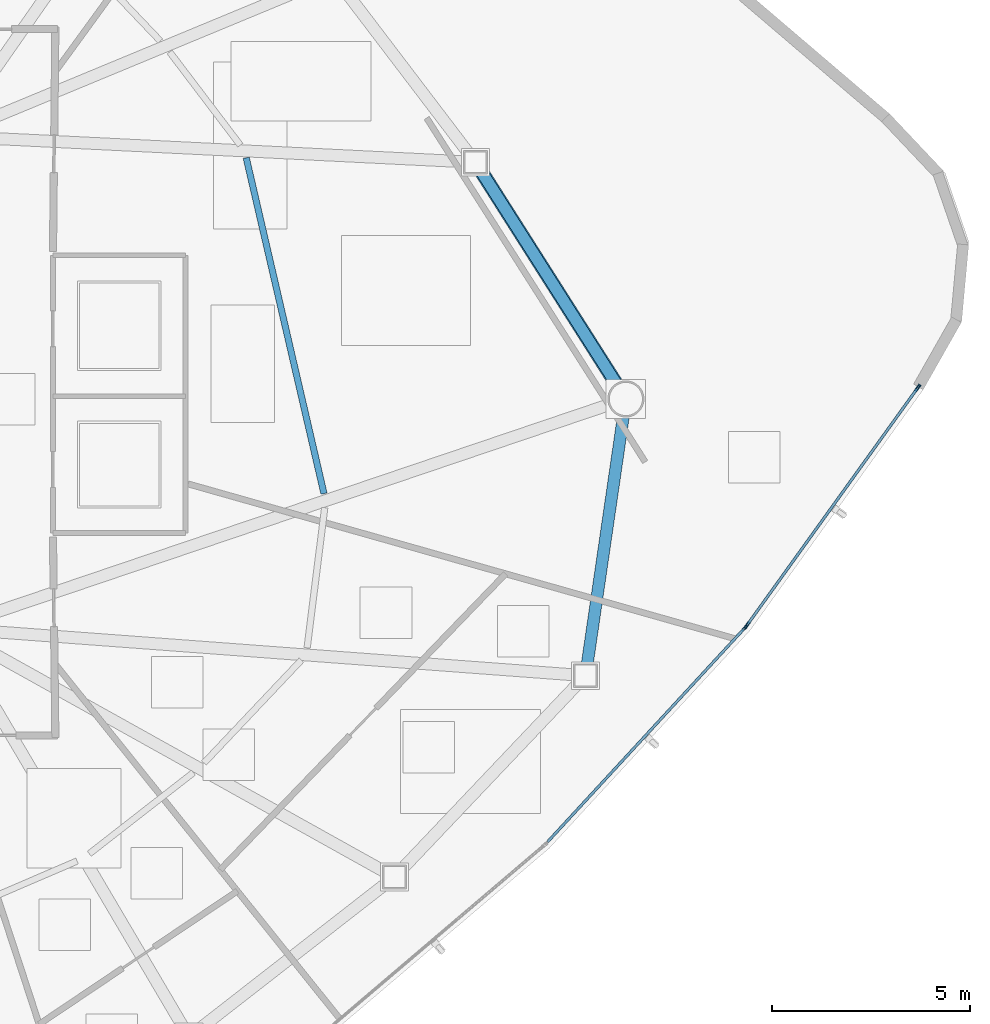
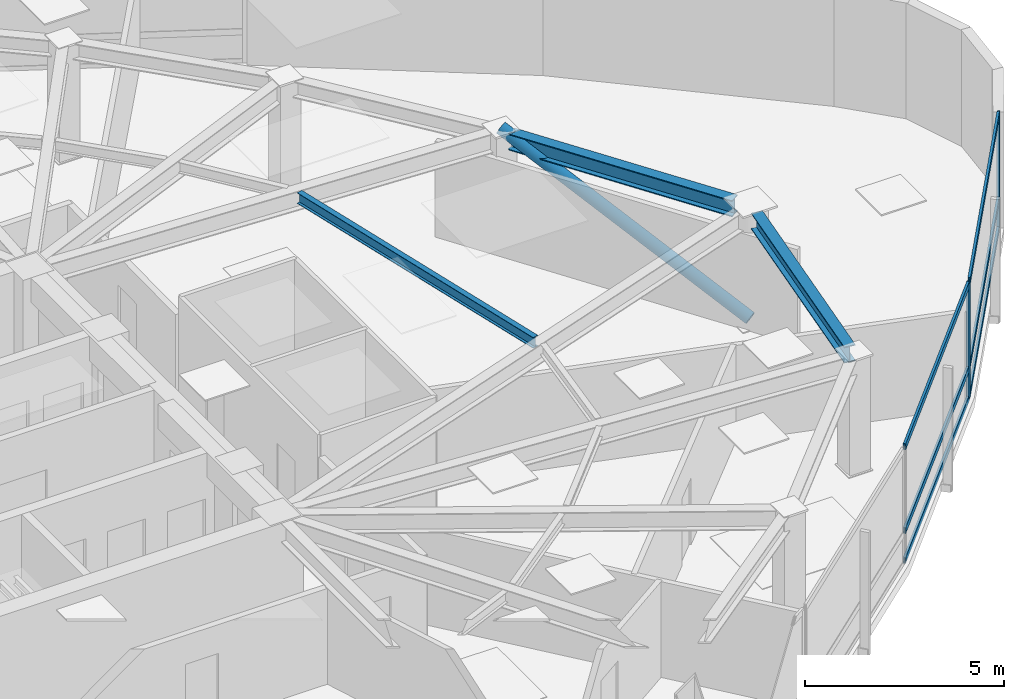
# One storey, part 6 of 17: 10 members, 3 beams, 2 elements without a shape of their own.
"""IFC4 building model written with IfcOpenShell, lengths in metres."""

from ifc_helpers import new_model, si_unit, direction, frame, origin, origin_2d, place, context, subcontext, project, spatial, hollow_rectangle, hollow_circle, i_section, extrude, source, transform, mapped, material, layer, layer_set, material_profile, profile_set, type_object, type_shapes, element, aggregate, save


model = new_model("IFC4")

# Units and contexts
model_context = context("Model", 3, precision=1e-05, world=origin(), true_north=direction((0.0, 1.0)))
body_context = subcontext(model_context, "Body", "Model", "MODEL_VIEW")
ifc_project = project(units=[si_unit("LENGTHUNIT", "METRE"), si_unit("AREAUNIT", "SQUARE_METRE"), si_unit("VOLUMEUNIT", "CUBIC_METRE"), si_unit("PLANEANGLEUNIT", "RADIAN"), si_unit("MASSUNIT", "GRAM", prefix="KILO")], contexts=[model_context])

# Site, building, storey
site_placement = place(None, origin())
site = spatial("IfcSite", under=ifc_project, at=site_placement, CompositionType="ELEMENT")
building_placement = place(site_placement, origin())
building = spatial("IfcBuilding", under=site, at=building_placement, Name="Tavelor Broadcast Tower", CompositionType="ELEMENT")
storey_placement = place(building_placement, frame((0.0, 0.0, 188.75)))
storey = spatial("IfcBuildingStorey", under=building, at=storey_placement, Name="L45", CompositionType="ELEMENT", Elevation=188.75)

# Beams
ifc_material_1 = material(Name="Steel S355", Category="steel")
ifc_material_profile_1 = material_profile(ifc_material_1, i_section(OverallWidth=0.159912109375, OverallDepth=0.330078125, WebThickness=0.007568359375, FlangeThickness=0.011474609375, at=origin_2d()), Name="IPE 330")
ifc_profile_set_1 = profile_set([ifc_material_profile_1], Name="Steel S355")
beam_type_1 = type_object("IfcBeamType", Name="Composite Floor Joist T4 IPE 330", PredefinedType="JOIST", material=ifc_profile_set_1)
beam_1_placement = place(storey_placement, frame((66.069091796875, 42.195068359375, 3.385009765625), z_axis=(-0.225617102792, 0.974216055569, 0.0), x_axis=(-0.974216055569, -0.225617102792, 0.0)))
element("IfcBeam", 1, at=beam_1_placement, inside=storey, type_object=beam_type_1, Name="L45 Secondary Composite Floor Joist 13", PredefinedType="JOIST", context=body_context, shape_type="SweptSolid", body=[
    extrude(i_section(OverallWidth=0.159912109375, OverallDepth=0.330078125, WebThickness=0.007568359375, FlangeThickness=0.011474609375, at=origin_2d()), origin(), (0.0, 0.0, 1.0), 8.683837890625),
])
ifc_material_profile_2 = material_profile(ifc_material_1, i_section(OverallWidth=0.300048828125, OverallDepth=0.5, WebThickness=0.014404296875, FlangeThickness=0.028076171875, at=origin_2d()), Name="HEB 500")
ifc_profile_set_2 = profile_set([ifc_material_profile_2], Name="Steel S355")
beam_type_2 = type_object("IfcBeamType", Name="Perimeter Spandrel Beam T4 HEB 500", PredefinedType="SPANDREL", material=ifc_profile_set_2)
beam_2_placement = place(storey_placement, frame((72.700927734375, 37.892333984375, 3.300048828125), z_axis=(0.144298223799, 0.989534245293, 0.0), x_axis=(-0.989534245293, 0.144298223799, 0.0)))
element("IfcBeam", 2, at=beam_2_placement, inside=storey, type_object=beam_type_2, Name="L45 Framed-Tube Ring Spandrel 12", PredefinedType="SPANDREL", context=body_context, shape_type="SweptSolid", body=[
    extrude(i_section(OverallWidth=0.300048828125, OverallDepth=0.5, WebThickness=0.014404296875, FlangeThickness=0.028076171875, at=origin_2d()), origin(), (0.0, 0.0, 1.0), 6.3193359375),
])
beam_3_placement = place(storey_placement, frame((73.440673828125, 44.94970703125, 3.300048828125), z_axis=(-0.536287336864, 0.844035480486, 0.0), x_axis=(-0.844035480486, -0.536287336864, 0.0)))
element("IfcBeam", 3, at=beam_3_placement, inside=storey, type_object=beam_type_2, Name="L45 Framed-Tube Ring Spandrel 13", PredefinedType="SPANDREL", context=body_context, shape_type="SweptSolid", body=[
    extrude(i_section(OverallWidth=0.300048828125, OverallDepth=0.5, WebThickness=0.014404296875, FlangeThickness=0.028076171875, at=origin_2d()), origin(), (0.0, 0.0, 1.0), 6.340087890625),
])

# Member
ifc_material_profile_3 = material_profile(ifc_material_1, hollow_circle(Radius=0.177734375, WallThickness=0.01611328125, at=origin_2d()), Name="CHS 355.6x16")
ifc_profile_set_3 = profile_set([ifc_material_profile_3], Name="Steel S355")
member_type_1 = type_object("IfcMemberType", Name="Perimeter Tube Brace T4 CHS 355.6x16", PredefinedType="BRACE", material=ifc_profile_set_3)
member_1_placement = place(storey_placement, frame((73.676025390625, 44.57958984375, 0.0), z_axis=(-0.479238755177, 0.754205232397, 0.448892729904), x_axis=(-0.844021198089, -0.536309814544, 0.0)))
element("IfcMember", 4, at=member_1_placement, inside=storey, type_object=member_type_1, Name="L45 Corner Tube Diagonal Brace 3", PredefinedType="BRACE", context=body_context, shape_type="SweptSolid", body=[
    extrude(hollow_circle(Radius=0.177734375, WallThickness=0.01611328125, at=origin_2d()), origin(), (0.0, 0.0, 1.0), 7.908447265625),
])

# Curtain wall, member
ifc_material_2 = material(Name="Architectural Anodized Aluminium", Category="aluminium")
ifc_layer = layer(ifc_material_2, 0.18994140625)
ifc_layer_set = layer_set([ifc_layer], Name="Architectural Anodized Aluminium")
curtain_wall_type = type_object("IfcCurtainWallType", Name="Tower Mid-Zone Acoustic Curtain Wall CW03", PredefinedType="NOTDEFINED", material=ifc_layer_set)
curtain_wall_1_placement = place(storey_placement, origin())
curtain_wall_1 = element("IfcCurtainWall", 5, at=curtain_wall_1_placement, inside=storey, type_object=curtain_wall_type, Name="L45 Curtain Wall CW03 Run 487", PredefinedType="NOTDEFINED")
ifc_material_profile_4 = material_profile(ifc_material_2, hollow_rectangle(XDim=0.068115234375, YDim=0.18994140625, WallThickness=0.02197265625, at=origin_2d()), Name="RHS 68x190x22")
ifc_profile_set_4 = profile_set([ifc_material_profile_4], Name="Architectural Anodized Aluminium")
member_type_2 = type_object("IfcMemberType", Name="CW03 Extruded Aluminium Mullion 68x190", PredefinedType="MULLION", material=ifc_profile_set_4)
shared_shape_1 = source(origin(), body_context, "Body", "SweptSolid", [
    extrude(hollow_rectangle(XDim=0.068115234375, YDim=0.18994140625, WallThickness=0.02197265625, at=origin_2d()), origin(), (0.0, 0.0, 1.0), 3.550048828125),
])
type_shapes(member_type_2, [shared_shape_1])
member_2_placement = place(storey_placement, frame((76.66455078125, 38.80078125, 0.0), z_axis=(0.0, 0.0, 1.0), x_axis=(-0.735216983062, 0.677831828566, 0.0)))
member_2 = element("IfcMember", 6, at=member_2_placement, type_object=member_type_2, Name="CW03 mullion 2", PredefinedType="MULLION", context=body_context, shape_type="MappedRepresentation", body=[
    mapped(shared_shape_1, transform((0.0, 0.0, 0.0), scale=1.0)),
])

# Curtain wall, members
curtain_wall_2_placement = place(storey_placement, origin())
curtain_wall_2 = element("IfcCurtainWall", 7, at=curtain_wall_2_placement, inside=storey, type_object=curtain_wall_type, Name="L45 Curtain Wall CW03 Run 488", PredefinedType="NOTDEFINED")
member_3_placement = place(storey_placement, frame((76.726318359375, 38.876708984375, 0.0), z_axis=(0.0, 0.0, 1.0), x_axis=(-0.811851898511, 0.58386342143, 0.0)))
member_3 = element("IfcMember", 8, at=member_3_placement, type_object=member_type_2, Name="CW03 mullion 1", PredefinedType="MULLION", context=body_context, shape_type="MappedRepresentation", body=[
    mapped(shared_shape_1, transform((0.0, 0.0, 0.0), scale=1.0)),
])
member_4_placement = place(storey_placement, frame((81.0302734375, 44.861083984375, 0.0), z_axis=(0.0, 0.0, 1.0), x_axis=(-0.811851898511, 0.58386342143, 0.0)))
member_4 = element("IfcMember", 9, at=member_4_placement, type_object=member_type_2, Name="CW03 mullion 2", PredefinedType="MULLION", context=body_context, shape_type="MappedRepresentation", body=[
    mapped(shared_shape_1, transform((0.0, 0.0, 0.0), scale=1.0)),
])

# Member
ifc_material_profile_5 = material_profile(ifc_material_2, hollow_rectangle(XDim=0.068115234375, YDim=0.18994140625, WallThickness=0.02197265625, at=origin_2d()), Name="RHS 68x190x22")
ifc_profile_set_5 = profile_set([ifc_material_profile_5], Name="Architectural Anodized Aluminium")
member_type_3 = type_object("IfcMemberType", Name="CW03 Extruded Aluminium Transom 68x190", PredefinedType="USERDEFINED", material=ifc_profile_set_5)
shared_shape_2 = source(origin(), body_context, "Body", "SweptSolid", [
    extrude(hollow_rectangle(XDim=0.068115234375, YDim=0.18994140625, WallThickness=0.02197265625, at=origin_2d()), origin(), (0.0, 0.0, 1.0), 7.28759765625),
])
member_5_placement = place(storey_placement, frame((71.70166015625, 33.41796875, 0.033935546875), z_axis=(0.677830545518, 0.735218165963, 0.0), x_axis=(-0.735218165963, 0.677830545518, 0.0)))
member_5 = element("IfcMember", 10, at=member_5_placement, type_object=member_type_3, Name="CW03 transom 1.1", ObjectType="TRANSOM", PredefinedType="USERDEFINED", context=body_context, shape_type="MappedRepresentation", body=[
    mapped(shared_shape_2, transform((0.0, 0.0, 0.0), scale=1.0)),
])

member_6_placement = place(storey_placement, frame((71.70166015625, 33.41796875, 0.949951171875), z_axis=(0.677830545518, 0.735218165963, 0.0), x_axis=(-0.735218165963, 0.677830545518, 0.0)))
member_6 = element("IfcMember", 11, at=member_6_placement, type_object=member_type_3, Name="CW03 transom 1.2", ObjectType="TRANSOM", PredefinedType="USERDEFINED", context=body_context, shape_type="MappedRepresentation", body=[
    mapped(shared_shape_2, transform((0.0, 0.0, 0.0), scale=1.0)),
])

member_7_placement = place(storey_placement, frame((71.70166015625, 33.41796875, 3.51611328125), z_axis=(0.677830545518, 0.735218165963, 0.0), x_axis=(-0.735218165963, 0.677830545518, 0.0)))
member_7 = element("IfcMember", 12, at=member_7_placement, type_object=member_type_3, Name="CW03 transom 1.3", ObjectType="TRANSOM", PredefinedType="USERDEFINED", context=body_context, shape_type="MappedRepresentation", body=[
    mapped(shared_shape_2, transform((0.0, 0.0, 0.0), scale=1.0)),
])

aggregate(curtain_wall_1, [member_2, member_5, member_6, member_7])

shared_shape_3 = source(origin(), body_context, "Body", "SweptSolid", [
    extrude(hollow_rectangle(XDim=0.068115234375, YDim=0.18994140625, WallThickness=0.02197265625, at=origin_2d()), origin(), (0.0, 0.0, 1.0), 7.303466796875),
])
type_shapes(member_type_3, [shared_shape_2, shared_shape_3])
member_8_placement = place(storey_placement, frame((76.74609375, 38.904296875, 0.033935546875), z_axis=(0.583888118911, 0.811834136135, 0.0), x_axis=(-0.811834136135, 0.583888118911, 0.0)))
member_8 = element("IfcMember", 13, at=member_8_placement, type_object=member_type_3, Name="CW03 transom 1.1", ObjectType="TRANSOM", PredefinedType="USERDEFINED", context=body_context, shape_type="MappedRepresentation", body=[
    mapped(shared_shape_3, transform((0.0, 0.0, 0.0), scale=1.0)),
])

member_9_placement = place(storey_placement, frame((76.74609375, 38.904296875, 0.949951171875), z_axis=(0.583888118911, 0.811834136135, 0.0), x_axis=(-0.811834136135, 0.583888118911, 0.0)))
member_9 = element("IfcMember", 14, at=member_9_placement, type_object=member_type_3, Name="CW03 transom 1.2", ObjectType="TRANSOM", PredefinedType="USERDEFINED", context=body_context, shape_type="MappedRepresentation", body=[
    mapped(shared_shape_3, transform((0.0, 0.0, 0.0), scale=1.0)),
])

member_10_placement = place(storey_placement, frame((76.74609375, 38.904296875, 3.51611328125), z_axis=(0.583888118911, 0.811834136135, 0.0), x_axis=(-0.811834136135, 0.583888118911, 0.0)))
member_10 = element("IfcMember", 15, at=member_10_placement, type_object=member_type_3, Name="CW03 transom 1.3", ObjectType="TRANSOM", PredefinedType="USERDEFINED", context=body_context, shape_type="MappedRepresentation", body=[
    mapped(shared_shape_3, transform((0.0, 0.0, 0.0), scale=1.0)),
])

aggregate(curtain_wall_2, [member_3, member_4, member_8, member_9, member_10])

save(model, "model.ifc")
